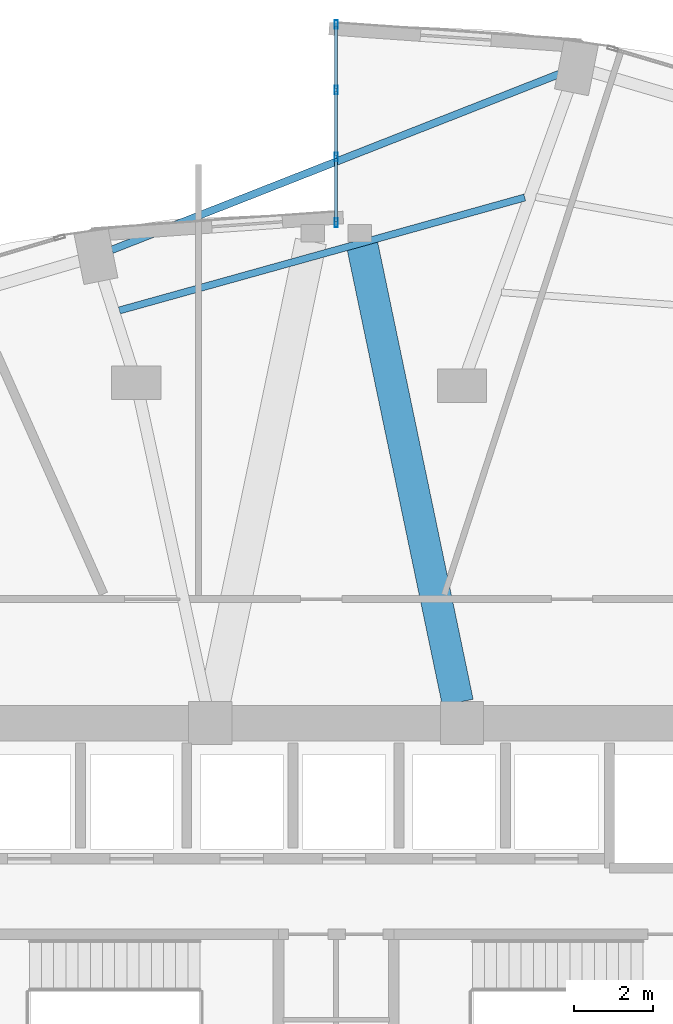
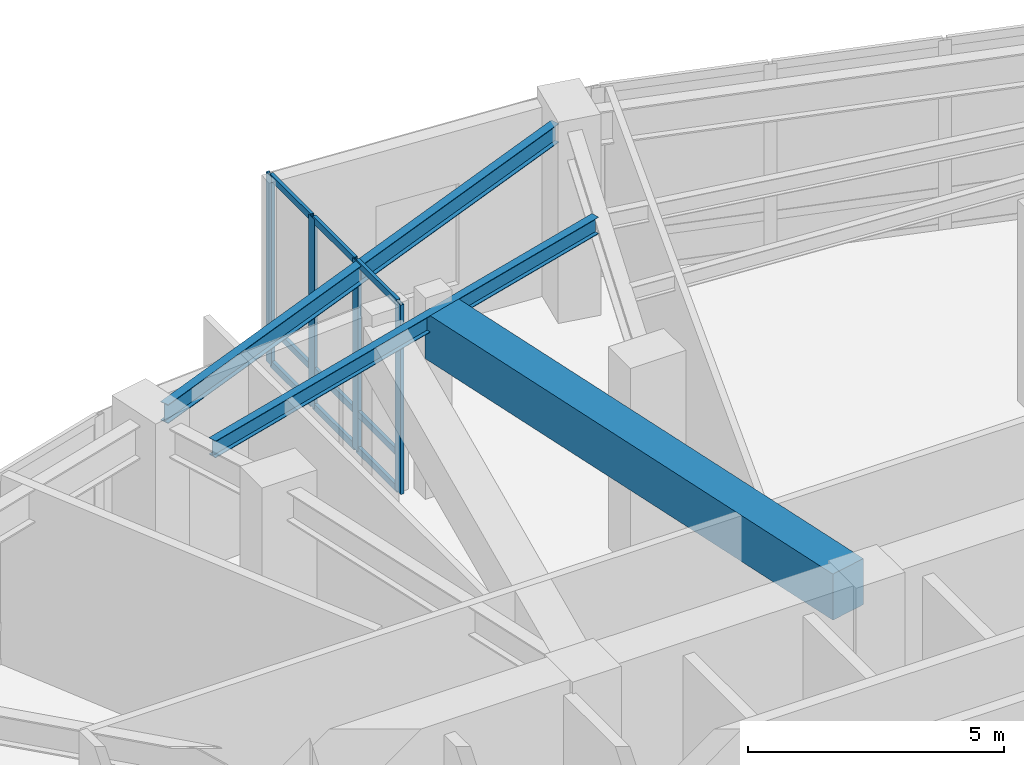
# One storey, part 15 of 24: 13 members, 3 beams, 1 element without a shape of its own.
"""IFC4 building model written with IfcOpenShell, lengths in metres."""

from ifc_helpers import new_model, si_unit, direction, frame, origin, origin_2d, place, context, subcontext, project, spatial, rectangle, hollow_rectangle, i_section, extrude, material, layer, layer_set, material_profile, profile_set, type_object, element, aggregate, save


model = new_model("IFC4")

# Units and contexts
model_context = context("Model", 3, precision=1e-05, world=origin(), true_north=direction((0.0, 1.0)))
body_context = subcontext(model_context, "Body", "Model", "MODEL_VIEW")
ifc_project = project(units=[si_unit("LENGTHUNIT", "METRE"), si_unit("AREAUNIT", "SQUARE_METRE"), si_unit("VOLUMEUNIT", "CUBIC_METRE"), si_unit("PLANEANGLEUNIT", "RADIAN"), si_unit("MASSUNIT", "GRAM", prefix="KILO")], contexts=[model_context])

# Site, building, storey
site_placement = place(None, origin())
site = spatial("IfcSite", under=ifc_project, at=site_placement, CompositionType="ELEMENT")
building_placement = place(site_placement, origin())
building = spatial("IfcBuilding", under=site, at=building_placement, Name="Lazwardi Medical Tower", CompositionType="ELEMENT")
storey_placement = place(building_placement, frame((0.0, 0.0, 10.800048828125)))
storey = spatial("IfcBuildingStorey", under=building, at=storey_placement, Name="L02", CompositionType="ELEMENT", Elevation=10.800048828125)

# Beams
ifc_material_1 = material(Name="Concrete C70/85", Category="concrete")
ifc_material_profile_1 = material_profile(ifc_material_1, rectangle(XDim=0.800048828125, YDim=1.10009765625, at=origin_2d()), Name="RC 800x1100")
ifc_profile_set_1 = profile_set([ifc_material_profile_1], Name="Concrete C70/85")
beam_type_1 = type_object("IfcBeamType", Name="BM-CB-RC1", PredefinedType="LINTEL", material=ifc_profile_set_1)
beam_1_placement = place(storey_placement, frame((39.090576171875, 36.123779296875, 3.969970703125), z_axis=(-0.204429747009, 0.978881238219, 0.0), x_axis=(-0.978881238219, -0.204429747009, 0.0)))
element("IfcBeam", 1, at=beam_1_placement, inside=storey, type_object=beam_type_1, Name="Core coupling lintel CB-01 PL2 L02", PredefinedType="LINTEL", context=body_context, shape_type="SweptSolid", body=[
    extrude(rectangle(XDim=0.800048828125, YDim=1.10009765625, at=origin_2d()), origin(), (0.0, 0.0, 1.0), 11.9736328125),
])
ifc_material_2 = material(Name="Steel S355", Category="steel")
ifc_material_profile_2 = material_profile(ifc_material_2, i_section(OverallWidth=0.179931640625, OverallDepth=0.39990234375, WebThickness=0.008544921875, FlangeThickness=0.013427734375, at=origin_2d()), Name="IPE 400")
ifc_profile_set_2 = profile_set([ifc_material_profile_2], Name="Steel S355")
beam_type_2 = type_object("IfcBeamType", Name="BM-SJ-01", PredefinedType="JOIST", material=ifc_profile_set_2)
beam_2_placement = place(storey_placement, frame((40.7919921875, 48.96044921875, 4.320068359375), z_axis=(-0.963291323829, -0.268458237788, 0.0), x_axis=(0.268458237788, -0.963291323829, 0.0)))
element("IfcBeam", 2, at=beam_2_placement, inside=storey, type_object=beam_type_2, Name="Secondary joist SJ-01 RO1 B08 L02", PredefinedType="JOIST", context=body_context, shape_type="SweptSolid", body=[
    extrude(i_section(OverallWidth=0.179931640625, OverallDepth=0.39990234375, WebThickness=0.008544921875, FlangeThickness=0.013427734375, at=origin_2d()), origin(), (0.0, 0.0, 1.0), 10.698486328125),
])
ifc_material_profile_3 = material_profile(ifc_material_2, i_section(OverallWidth=0.18994140625, OverallDepth=0.449951171875, WebThickness=0.009521484375, FlangeThickness=0.0146484375, at=origin_2d()), Name="IPE 450")
ifc_profile_set_3 = profile_set([ifc_material_profile_3], Name="Steel S355")
beam_type_3 = type_object("IfcBeamType", Name="BM-SP-01", PredefinedType="SPANDREL", material=ifc_profile_set_3)
beam_3_placement = place(storey_placement, frame((41.7060546875, 52.1142578125, 4.294921875), z_axis=(-0.930695337123, -0.365795283536, 0.0), x_axis=(0.365795283536, -0.930695337123, 0.0)))
element("IfcBeam", 3, at=beam_3_placement, inside=storey, type_object=beam_type_3, Name="Spandrel beam SP-01 B08 L02", PredefinedType="SPANDREL", context=body_context, shape_type="SweptSolid", body=[
    extrude(i_section(OverallWidth=0.18994140625, OverallDepth=0.449951171875, WebThickness=0.009521484375, FlangeThickness=0.0146484375, at=origin_2d()), origin(), (0.0, 0.0, 1.0), 12.261962890625),
])

# Curtain wall, members
ifc_material_3 = material(Name="Anodised bronze aluminium and solar control glazing", Category="aluminium")
ifc_layer = layer(ifc_material_3, 0.2099609375)
ifc_layer_set = layer_set([ifc_layer], Name="Anodised bronze aluminium and solar control glazing")
curtain_wall_type = type_object("IfcCurtainWallType", Name="CW-SYS-06", PredefinedType="NOTDEFINED", material=ifc_layer_set)
curtain_wall_placement = place(storey_placement, origin())
curtain_wall = element("IfcCurtainWall", 4, at=curtain_wall_placement, inside=storey, type_object=curtain_wall_type, Name="L02 Unitised bronze curtain wall CW-06", PredefinedType="NOTDEFINED")
ifc_material_4 = material(Name="Anodised bronze aluminium", Category="aluminium")
ifc_material_profile_4 = material_profile(ifc_material_4, hollow_rectangle(XDim=0.074951171875, YDim=0.219970703125, WallThickness=0.00390625, at=origin_2d()), Name="ALU-MULLION 220x75x4")
ifc_profile_set_4 = profile_set([ifc_material_profile_4], Name="Anodised bronze aluminium")
member_type_1 = type_object("IfcMemberType", Name="CW-MUL-01", PredefinedType="MULLION", material=ifc_profile_set_4)
member_1_placement = place(storey_placement, frame((36.0, 53.362548828125, 0.0), z_axis=(0.0, 0.0, 1.0), x_axis=(1.0, 0.0, 0.0)))
member_1 = element("IfcMember", 5, at=member_1_placement, type_object=member_type_1, Name="CW-06 mullion 1", PredefinedType="MULLION", context=body_context, shape_type="SweptSolid", body=[
    extrude(hollow_rectangle(XDim=0.074951171875, YDim=0.219970703125, WallThickness=0.00390625, at=origin_2d()), origin(), (0.0, 0.0, 1.0), 4.52001953125),
])
member_2_placement = place(storey_placement, frame((36.0, 51.693359375, 0.0), z_axis=(0.0, 0.0, 1.0), x_axis=(1.0, 0.0, 0.0)))
member_2 = element("IfcMember", 6, at=member_2_placement, type_object=member_type_1, Name="CW-06 mullion 2", PredefinedType="MULLION", context=body_context, shape_type="SweptSolid", body=[
    extrude(hollow_rectangle(XDim=0.074951171875, YDim=0.219970703125, WallThickness=0.00390625, at=origin_2d()), origin(), (0.0, 0.0, 1.0), 4.52001953125),
])
member_3_placement = place(storey_placement, frame((36.0, 49.986572265625, 0.0), z_axis=(0.0, 0.0, 1.0), x_axis=(1.0, 0.0, 0.0)))
member_3 = element("IfcMember", 7, at=member_3_placement, type_object=member_type_1, Name="CW-06 mullion 3", PredefinedType="MULLION", context=body_context, shape_type="SweptSolid", body=[
    extrude(hollow_rectangle(XDim=0.074951171875, YDim=0.219970703125, WallThickness=0.00390625, at=origin_2d()), origin(), (0.0, 0.0, 1.0), 4.52001953125),
])
member_4_placement = place(storey_placement, frame((36.0, 48.3173828125, 0.0), z_axis=(0.0, 0.0, 1.0), x_axis=(1.0, 0.0, 0.0)))
member_4 = element("IfcMember", 8, at=member_4_placement, type_object=member_type_1, Name="CW-06 mullion 4", PredefinedType="MULLION", context=body_context, shape_type="SweptSolid", body=[
    extrude(hollow_rectangle(XDim=0.074951171875, YDim=0.219970703125, WallThickness=0.00390625, at=origin_2d()), origin(), (0.0, 0.0, 1.0), 4.52001953125),
])
ifc_material_profile_5 = material_profile(ifc_material_4, hollow_rectangle(XDim=0.074951171875, YDim=0.159912109375, WallThickness=0.00390625, at=origin_2d()), Name="ALU-TRANSOM 160x75x4")
ifc_profile_set_5 = profile_set([ifc_material_profile_5], Name="Anodised bronze aluminium")
member_type_2 = type_object("IfcMemberType", Name="CW-TRN-01", PredefinedType="USERDEFINED", material=ifc_profile_set_5)
member_5_placement = place(storey_placement, frame((36.0, 53.324951171875, 0.037353515625), z_axis=(0.0, -1.0, 0.0), x_axis=(1.0, 0.0, 0.0)))
member_5 = element("IfcMember", 9, at=member_5_placement, type_object=member_type_2, Name="CW-06 transom 1.1", ObjectType="TRANSOM", PredefinedType="USERDEFINED", context=body_context, shape_type="SweptSolid", body=[
    extrude(hollow_rectangle(XDim=0.074951171875, YDim=0.159912109375, WallThickness=0.00390625, at=origin_2d()), origin(), (0.0, 0.0, 1.0), 1.59423828125),
])
member_6_placement = place(storey_placement, frame((36.0, 53.324951171875, 0.89990234375), z_axis=(0.0, -1.0, 0.0), x_axis=(1.0, 0.0, 0.0)))
member_6 = element("IfcMember", 10, at=member_6_placement, type_object=member_type_2, Name="CW-06 transom 1.2", ObjectType="TRANSOM", PredefinedType="USERDEFINED", context=body_context, shape_type="SweptSolid", body=[
    extrude(hollow_rectangle(XDim=0.074951171875, YDim=0.159912109375, WallThickness=0.00390625, at=origin_2d()), origin(), (0.0, 0.0, 1.0), 1.59423828125),
])
member_7_placement = place(storey_placement, frame((36.0, 53.324951171875, 4.482421875), z_axis=(0.0, -1.0, 0.0), x_axis=(1.0, 0.0, 0.0)))
member_7 = element("IfcMember", 11, at=member_7_placement, type_object=member_type_2, Name="CW-06 transom 1.3", ObjectType="TRANSOM", PredefinedType="USERDEFINED", context=body_context, shape_type="SweptSolid", body=[
    extrude(hollow_rectangle(XDim=0.074951171875, YDim=0.159912109375, WallThickness=0.00390625, at=origin_2d()), origin(), (0.0, 0.0, 1.0), 1.59423828125),
])
member_8_placement = place(storey_placement, frame((36.0, 51.65576171875, 0.037353515625), z_axis=(0.0, -1.0, 0.0), x_axis=(1.0, 0.0, 0.0)))
member_8 = element("IfcMember", 12, at=member_8_placement, type_object=member_type_2, Name="CW-06 transom 2.1", ObjectType="TRANSOM", PredefinedType="USERDEFINED", context=body_context, shape_type="SweptSolid", body=[
    extrude(hollow_rectangle(XDim=0.074951171875, YDim=0.159912109375, WallThickness=0.00390625, at=origin_2d()), origin(), (0.0, 0.0, 1.0), 1.631591796875),
])
member_9_placement = place(storey_placement, frame((36.0, 51.65576171875, 0.89990234375), z_axis=(0.0, -1.0, 0.0), x_axis=(1.0, 0.0, 0.0)))
member_9 = element("IfcMember", 13, at=member_9_placement, type_object=member_type_2, Name="CW-06 transom 2.2", ObjectType="TRANSOM", PredefinedType="USERDEFINED", context=body_context, shape_type="SweptSolid", body=[
    extrude(hollow_rectangle(XDim=0.074951171875, YDim=0.159912109375, WallThickness=0.00390625, at=origin_2d()), origin(), (0.0, 0.0, 1.0), 1.631591796875),
])
member_10_placement = place(storey_placement, frame((36.0, 51.65576171875, 4.482421875), z_axis=(0.0, -1.0, 0.0), x_axis=(1.0, 0.0, 0.0)))
member_10 = element("IfcMember", 14, at=member_10_placement, type_object=member_type_2, Name="CW-06 transom 2.3", ObjectType="TRANSOM", PredefinedType="USERDEFINED", context=body_context, shape_type="SweptSolid", body=[
    extrude(hollow_rectangle(XDim=0.074951171875, YDim=0.159912109375, WallThickness=0.00390625, at=origin_2d()), origin(), (0.0, 0.0, 1.0), 1.631591796875),
])
member_11_placement = place(storey_placement, frame((36.0, 49.94921875, 0.037353515625), z_axis=(0.0, -1.0, 0.0), x_axis=(1.0, 0.0, 0.0)))
member_11 = element("IfcMember", 15, at=member_11_placement, type_object=member_type_2, Name="CW-06 transom 3.1", ObjectType="TRANSOM", PredefinedType="USERDEFINED", context=body_context, shape_type="SweptSolid", body=[
    extrude(hollow_rectangle(XDim=0.074951171875, YDim=0.159912109375, WallThickness=0.00390625, at=origin_2d()), origin(), (0.0, 0.0, 1.0), 1.59423828125),
])
member_12_placement = place(storey_placement, frame((36.0, 49.94921875, 0.89990234375), z_axis=(0.0, -1.0, 0.0), x_axis=(1.0, 0.0, 0.0)))
member_12 = element("IfcMember", 16, at=member_12_placement, type_object=member_type_2, Name="CW-06 transom 3.2", ObjectType="TRANSOM", PredefinedType="USERDEFINED", context=body_context, shape_type="SweptSolid", body=[
    extrude(hollow_rectangle(XDim=0.074951171875, YDim=0.159912109375, WallThickness=0.00390625, at=origin_2d()), origin(), (0.0, 0.0, 1.0), 1.59423828125),
])
member_13_placement = place(storey_placement, frame((36.0, 49.94921875, 4.482421875), z_axis=(0.0, -1.0, 0.0), x_axis=(1.0, 0.0, 0.0)))
member_13 = element("IfcMember", 17, at=member_13_placement, type_object=member_type_2, Name="CW-06 transom 3.3", ObjectType="TRANSOM", PredefinedType="USERDEFINED", context=body_context, shape_type="SweptSolid", body=[
    extrude(hollow_rectangle(XDim=0.074951171875, YDim=0.159912109375, WallThickness=0.00390625, at=origin_2d()), origin(), (0.0, 0.0, 1.0), 1.59423828125),
])
aggregate(curtain_wall, [member_1, member_2, member_3, member_4, member_5, member_6, member_7, member_8, member_9, member_10, member_11, member_12, member_13])

save(model, "model.ifc")
